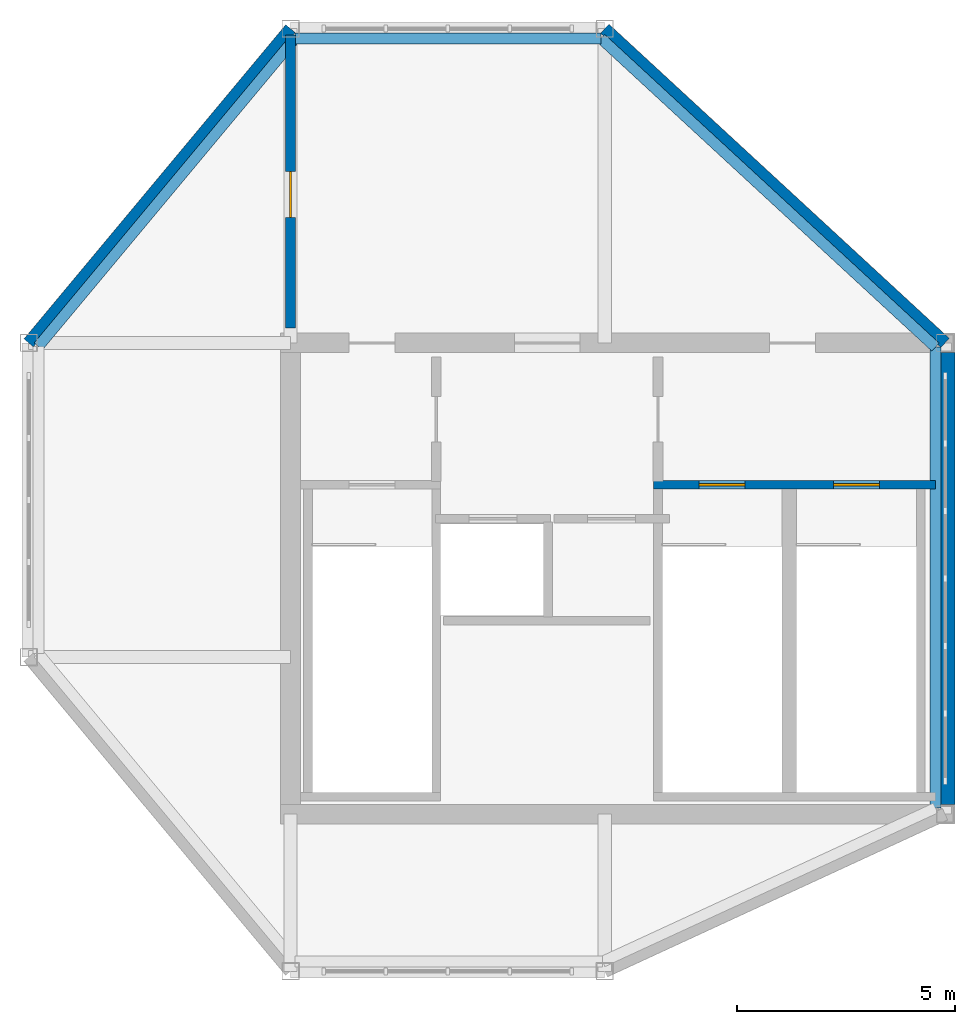
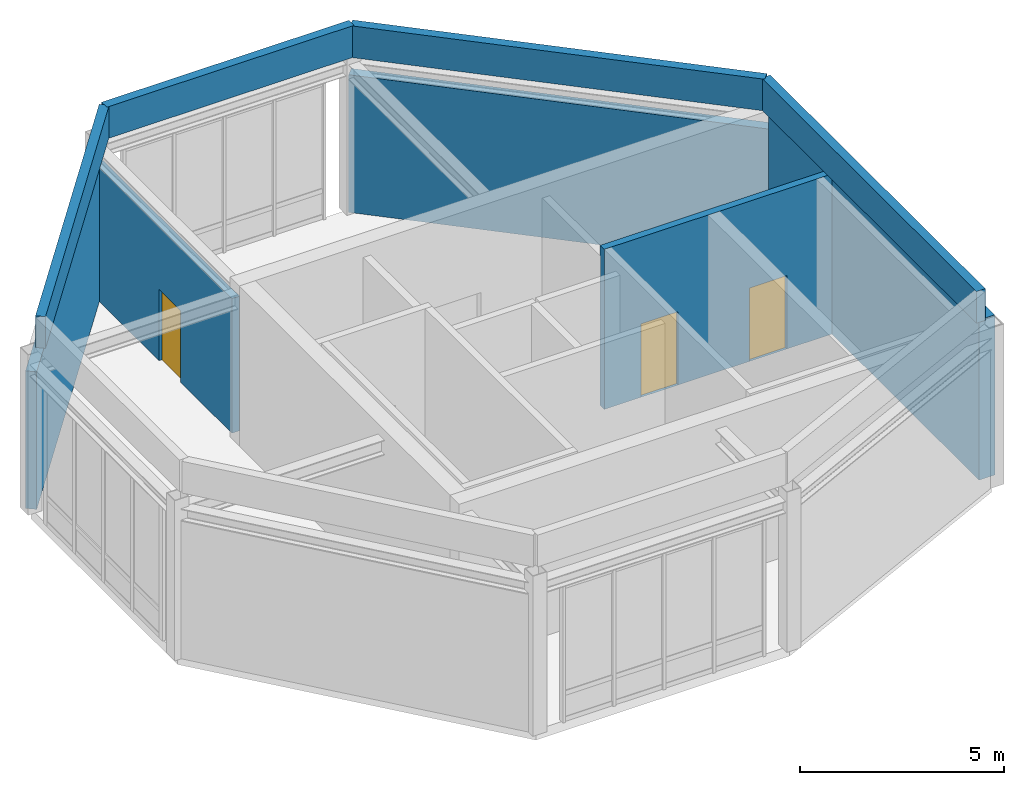
# One storey, part 4 of 5: 9 walls, 3 doors, 3 openings.
"""IFC4 building model written with IfcOpenShell, lengths in metres."""

from ifc_helpers import new_model, si_unit, derived_unit, direction, frame, frame_2d, origin, place, context, subcontext, project, spatial, rectangle, extrude, source, transform, mapped, material, layer, layer_set, type_object, type_shapes, element, fill, save


model = new_model("IFC4")

# Units and contexts
model_context = context("Model", 3, precision=1e-05, world=origin(), true_north=direction((0.0, 1.0)))
body_context = subcontext(model_context, "Body", "Model", "MODEL_VIEW")
ifc_project = project(units=[si_unit("LENGTHUNIT", "METRE"), si_unit("AREAUNIT", "SQUARE_METRE"), si_unit("VOLUMEUNIT", "CUBIC_METRE"), si_unit("PLANEANGLEUNIT", "RADIAN"), si_unit("MASSUNIT", "GRAM", prefix="KILO"), si_unit("THERMODYNAMICTEMPERATUREUNIT", "KELVIN"), si_unit("POWERUNIT", "WATT"), derived_unit("THERMALTRANSMITTANCEUNIT", [(si_unit("POWERUNIT", "WATT"), 1), (si_unit("AREAUNIT", "SQUARE_METRE"), -1), (si_unit("THERMODYNAMICTEMPERATUREUNIT", "KELVIN"), -1)])], contexts=[model_context])

# Site, building, storey
site_placement = place(None, origin())
site = spatial("IfcSite", under=ifc_project, at=site_placement, CompositionType="ELEMENT")
building_placement = place(site_placement, origin())
building = spatial("IfcBuilding", under=site, at=building_placement, Name="Zahravan Archway Hotel and Residences", CompositionType="ELEMENT")
storey_placement = place(building_placement, frame((0.0, 0.0, 303.89990234375)))
storey = spatial("IfcBuildingStorey", under=building, at=storey_placement, Name="L76", CompositionType="ELEMENT", Elevation=303.89990234375)

# Walls
ifc_material_1 = material(Name="Concrete C50/60", Category="concrete")
ifc_layer_1 = layer(ifc_material_1, 0.449951171875, Name="Concrete C50/60", Category="concrete")
ifc_layer_set_1 = layer_set([ifc_layer_1], Name="Concrete C50/60")
wall_type_1 = type_object("IfcWallType", Name="CW-CORE-450", PredefinedType="SHEAR", material=ifc_layer_set_1)
wall_1_placement = place(storey_placement, frame((49.800048828125, 3.824951171875, 0.0), z_axis=(0.0, 0.0, 1.0), x_axis=(0.0, 1.0, 0.0)))
element("IfcWall", 1, at=wall_1_placement, inside=storey, type_object=wall_type_1, Name="L76 Core A Shear E Wall 450 mm", PredefinedType="SHEAR", context=body_context, shape_type="SweptSolid", body=[
    extrude(rectangle(XDim=10.35009765625, YDim=0.449951171875, at=frame_2d((5.175048828125, 0.0))), origin(), (0.0, 0.0, 1.0), 4.800048828125),
])
ifc_material_2 = material(Name="Carved Chhatri Sandstone Cladding Wall", Category="masonry")
ifc_layer_2 = layer(ifc_material_2, 0.280029296875, Name="Carved Chhatri Sandstone Cladding Wall", Category="masonry")
ifc_layer_set_2 = layer_set([ifc_layer_2], Name="Carved Chhatri Sandstone Cladding Wall")
wall_type_2 = type_object("IfcWallType", Name="EW-DRUM-280", PredefinedType="SOLIDWALL", material=ifc_layer_set_2)
wall_2_placement = place(storey_placement, frame((49.800048828125, 14.39990234375, 0.0), z_axis=(0.0, 0.0, 1.0), x_axis=(-0.734796390569, 0.678287744551, 0.0)))
element("IfcWall", 2, at=wall_2_placement, inside=storey, type_object=wall_type_2, Name="L76 Octagonal Chhatri Sandstone Face 4", PredefinedType="SOLIDWALL", context=body_context, shape_type="SweptSolid", body=[
    extrude(rectangle(XDim=10.615234375, YDim=0.280029296875, at=frame_2d((5.3076171875, 0.0))), origin(), (0.0, 0.0, 1.0), 4.125),
])
wall_3_placement = place(storey_placement, frame((34.800048828125, 21.60009765625, 0.0), z_axis=(0.0, 0.0, 1.0), x_axis=(-0.640174150918, -0.768229820104, 0.0)))
element("IfcWall", 3, at=wall_3_placement, inside=storey, type_object=wall_type_2, Name="L76 Octagonal Chhatri Sandstone Face 6", PredefinedType="SOLIDWALL", context=body_context, shape_type="SweptSolid", body=[
    extrude(rectangle(XDim=9.37255859375, YDim=0.280029296875, at=frame_2d((4.686279296875, 0.0))), origin(), (0.0, 0.0, 1.0), 4.125),
])
ifc_material_3 = material(Name="Agra Buff Sandstone Coping Wall", Category="masonry")
ifc_layer_3 = layer(ifc_material_3, 0.25, Name="Agra Buff Sandstone Coping Wall", Category="masonry")
ifc_layer_set_3 = layer_set([ifc_layer_3], Name="Agra Buff Sandstone Coping Wall")
wall_type_3 = type_object("IfcWallType", Name="EW-PARA-250", PredefinedType="PARAPET", material=ifc_layer_set_3)
wall_4_placement = place(storey_placement, frame((29.02001953125, 14.3203125, 4.800048828125), z_axis=(0.0, 0.0, 1.0), x_axis=(0.640189625983, 0.768216924302, 0.0)))
element("IfcWall", 4, at=wall_4_placement, inside=storey, type_object=wall_type_3, Name="L76 Crown Roof Coping Parapet 3", PredefinedType="PARAPET", context=body_context, shape_type="SweptSolid", body=[
    extrude(rectangle(XDim=9.189453125, YDim=0.25, at=frame_2d((4.5947265625, 0.0))), origin(), (0.0, 0.0, 1.0), 0.949951171875),
])
wall_5_placement = place(storey_placement, frame((34.903076171875, 21.3798828125, 4.800048828125), z_axis=(0.0, 0.0, 1.0), x_axis=(1.0, 0.0, 0.0)))
element("IfcWall", 5, at=wall_5_placement, inside=storey, type_object=wall_type_3, Name="L76 Crown Roof Coping Parapet 4", PredefinedType="PARAPET", context=body_context, shape_type="SweptSolid", body=[
    extrude(rectangle(XDim=7.010986328125, YDim=0.25, at=frame_2d((3.50537109375, 0.0))), origin(), (0.0, 0.0, 1.0), 0.949951171875),
])
wall_6_placement = place(storey_placement, frame((41.9140625, 21.3798828125, 4.800048828125), z_axis=(0.0, 0.0, 1.0), x_axis=(0.734810622078, -0.67827232708, 0.0)))
element("IfcWall", 6, at=wall_6_placement, inside=storey, type_object=wall_type_3, Name="L76 Crown Roof Coping Parapet 5", PredefinedType="PARAPET", context=body_context, shape_type="SweptSolid", body=[
    extrude(rectangle(XDim=10.4326171875, YDim=0.25, at=frame_2d((5.21630859375, 0.0))), origin(), (0.0, 0.0, 1.0), 0.949951171875),
])
wall_7_placement = place(storey_placement, frame((49.580078125, 14.3037109375, 4.800048828125), z_axis=(0.0, 0.0, 1.0), x_axis=(0.0, -1.0, 0.0)))
element("IfcWall", 7, at=wall_7_placement, inside=storey, type_object=wall_type_3, Name="L76 Crown Roof Coping Parapet 6", PredefinedType="PARAPET", context=body_context, shape_type="SweptSolid", body=[
    extrude(rectangle(XDim=10.56298828125, YDim=0.25, at=frame_2d((5.281494140625, 0.0))), origin(), (0.0, 0.0, 1.0), 0.949951171875),
])

# Wall, opening, door
ifc_material_4 = material(Name="Fire-Rated Gypsum & Concrete Block", Category="concrete")
ifc_layer_4 = layer(ifc_material_4, 0.219970703125, Name="Fire-Rated Gypsum & Concrete Block", Category="concrete")
ifc_layer_set_4 = layer_set([ifc_layer_4], Name="Fire-Rated Gypsum & Concrete Block")
wall_type_4 = type_object("IfcWallType", Name="PW-COMP-220", PredefinedType="PARTITIONING", material=ifc_layer_set_4)
wall_8_placement = place(storey_placement, frame((34.800048828125, 14.739990234375, 0.0), z_axis=(0.0, 0.0, 1.0), x_axis=(0.0, 1.0, 0.0)))
wall_8 = element("IfcWall", 8, at=wall_8_placement, inside=storey, type_object=wall_type_4, Name="L76 Partition L76-PL1", PredefinedType="PARTITIONING", context=body_context, shape_type="SweptSolid", body=[
    extrude(rectangle(XDim=6.719970703125, YDim=0.219970703125, at=frame_2d((3.35986328125, 0.0))), origin(), (0.0, 0.0, 1.0), 4.03515625),
])
opening_1_placement = place(wall_8_placement, frame((2.534912109375, 0.0, 0.0)))
opening_1 = element("IfcOpeningElement", 9, at=opening_1_placement, cuts=wall_8, Name="Opening FD-L2", PredefinedType="OPENING", context=body_context, shape_type="SweptSolid", body=[
    extrude(rectangle(XDim=1.050048828125, YDim=2.14990234375, at=frame_2d((0.52490234375, 1.074951171875))), frame((0.0, 0.1201171875, 0.0), z_axis=(0.0, -1.0, 0.0), x_axis=(1.0, 0.0, 0.0)), (0.0, 0.0, 1.0), 0.239990234375),
])
ifc_material_5 = material(Name="Fire-Rated Painted Steel", Category="steel")
door_type_1 = type_object("IfcDoorType", Name="FD-LOBBY-1100", OperationType="NOTDEFINED", PredefinedType="DOOR", material=ifc_material_5)
shared_shape_1 = source(origin(), body_context, "Body", "SweptSolid", [
    extrude(rectangle(XDim=1.050048828125, YDim=2.14990234375, at=frame_2d((0.52490234375, 1.074951171875))), frame((0.0, 0.02490234375, 0.0), z_axis=(0.0, -1.0, 0.0), x_axis=(1.0, 0.0, 0.0)), (0.0, 0.0, 1.0), 0.050048828125),
])
type_shapes(door_type_1, [shared_shape_1])
door_1_placement = place(opening_1_placement, origin())
door_1 = element("IfcDoor", 10, at=door_1_placement, inside=storey, type_object=door_type_1, Name="L76 Crown Mechanical Hall Door", OperationType="SINGLE_SWING_RIGHT", OverallHeight=2.14990234375, OverallWidth=1.050048828125, PredefinedType="DOOR", context=body_context, shape_type="MappedRepresentation", body=[
    mapped(shared_shape_1, transform((0.0, 0.0, 0.0), scale=1.0)),
])
fill(opening_1, door_1)

# Wall, openings, doors
ifc_layer_5 = layer(ifc_material_1, 0.199951171875, Name="Concrete C50/60", Category="concrete")
ifc_layer_set_5 = layer_set([ifc_layer_5], Name="Concrete C50/60")
wall_type_5 = type_object("IfcWallType", Name="SW-STAIR-200", PredefinedType="SHEAR", material=ifc_layer_set_5)
wall_9_placement = place(storey_placement, frame((43.1201171875, 11.14990234375, 0.0), z_axis=(0.0, 0.0, 1.0), x_axis=(1.0, 0.0, 0.0)))
wall_9 = element("IfcWall", 11, at=wall_9_placement, inside=storey, type_object=wall_type_5, Name="L76 Stairwell RC Wall CA-SA23N", PredefinedType="SHEAR", context=body_context, shape_type="SweptSolid", body=[
    extrude(rectangle(XDim=6.454833984375, YDim=0.199951171875, at=frame_2d((3.2275390625, 0.0))), origin(), (0.0, 0.0, 1.0), 4.800048828125),
])
opening_2_placement = place(wall_9_placement, frame((1.044921875, 0.0, 0.0)))
opening_2 = element("IfcOpeningElement", 12, at=opening_2_placement, cuts=wall_9, Name="Opening FD-S1", PredefinedType="OPENING", context=body_context, shape_type="SweptSolid", body=[
    extrude(rectangle(XDim=1.050048828125, YDim=2.199951171875, at=frame_2d((0.52490234375, 1.10009765625))), frame((0.0, 0.10986328125, 0.0), z_axis=(0.0, -1.0, 0.0), x_axis=(1.0, 0.0, 0.0)), (0.0, 0.0, 1.0), 0.219970703125),
])
opening_3_placement = place(wall_9_placement, frame((4.125, 0.0, 0.0)))
opening_3 = element("IfcOpeningElement", 13, at=opening_3_placement, cuts=wall_9, Name="Opening FD-S1", PredefinedType="OPENING", context=body_context, shape_type="SweptSolid", body=[
    extrude(rectangle(XDim=1.050048828125, YDim=2.199951171875, at=frame_2d((0.52490234375, 1.10009765625))), frame((0.0, 0.10986328125, 0.0), z_axis=(0.0, -1.0, 0.0), x_axis=(1.0, 0.0, 0.0)), (0.0, 0.0, 1.0), 0.219970703125),
])
door_type_2 = type_object("IfcDoorType", Name="FD-STAIR-1100", OperationType="NOTDEFINED", PredefinedType="DOOR", material=ifc_material_5)
shared_shape_2 = source(origin(), body_context, "Body", "SweptSolid", [
    extrude(rectangle(XDim=1.050048828125, YDim=2.199951171875, at=frame_2d((0.52490234375, 1.10009765625))), frame((0.0, 0.02490234375, 0.0), z_axis=(0.0, -1.0, 0.0), x_axis=(1.0, 0.0, 0.0)), (0.0, 0.0, 1.0), 0.050048828125),
])
type_shapes(door_type_2, [shared_shape_2])
door_2_placement = place(opening_2_placement, origin())
door_2 = element("IfcDoor", 14, at=door_2_placement, inside=storey, type_object=door_type_2, Name="L76 Stair ST-A2 Door", OperationType="SINGLE_SWING_RIGHT", OverallHeight=2.199951171875, OverallWidth=1.050048828125, PredefinedType="DOOR", context=body_context, shape_type="MappedRepresentation", body=[
    mapped(shared_shape_2, transform((0.0, 0.0, 0.0), scale=1.0)),
])
fill(opening_2, door_2)
door_3_placement = place(opening_3_placement, origin())
door_3 = element("IfcDoor", 15, at=door_3_placement, inside=storey, type_object=door_type_2, Name="L76 Stair ST-A3 Door", OperationType="SINGLE_SWING_LEFT", OverallHeight=2.199951171875, OverallWidth=1.050048828125, PredefinedType="DOOR", context=body_context, shape_type="MappedRepresentation", body=[
    mapped(shared_shape_2, transform((0.0, 0.0, 0.0), scale=1.0)),
])
fill(opening_3, door_3)

save(model, "model.ifc")
